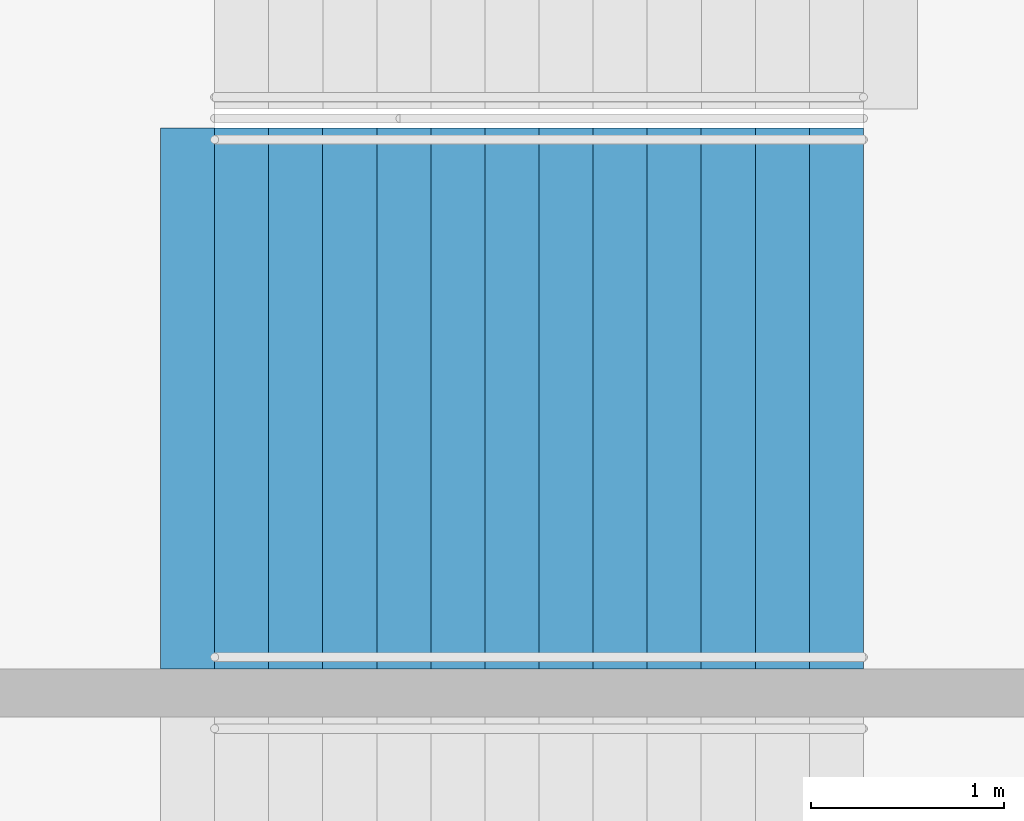
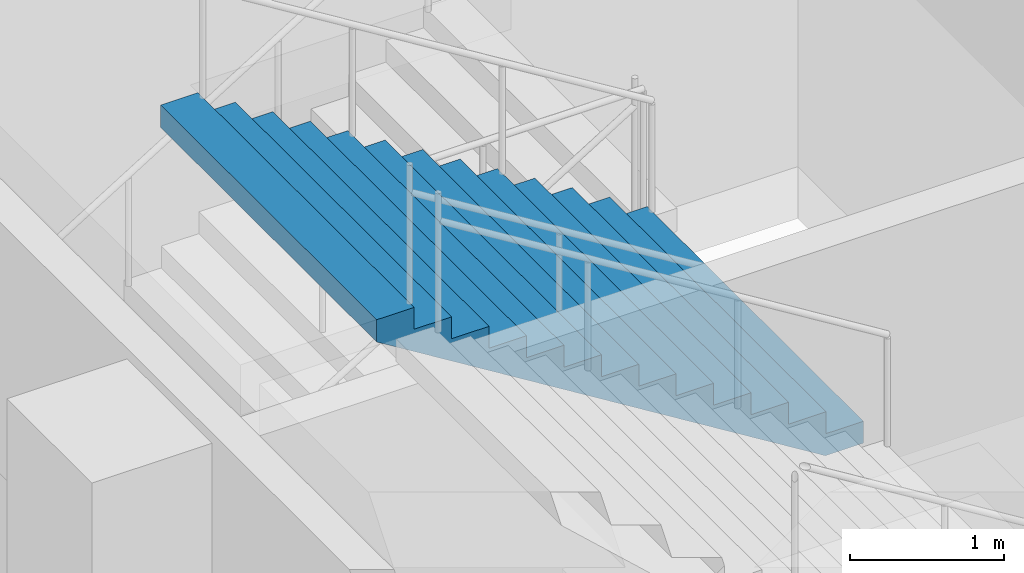
# One storey, part 151 of 199: 1 stair flight, 1 element without a shape of its own.
"""IFC4 building model written with IfcOpenShell, lengths in metres."""

from ifc_helpers import new_model, si_unit, direction, frame, origin, place, context, subcontext, project, spatial, faceted_brep, material, type_object, element, aggregate, save


model = new_model("IFC4")

# Units and contexts
model_context = context("Model", 3, precision=1e-05, world=origin(), true_north=direction((0.0, 1.0)))
body_context = subcontext(model_context, "Body", "Model", "MODEL_VIEW")
ifc_project = project(units=[si_unit("LENGTHUNIT", "METRE"), si_unit("AREAUNIT", "SQUARE_METRE"), si_unit("VOLUMEUNIT", "CUBIC_METRE"), si_unit("PLANEANGLEUNIT", "RADIAN"), si_unit("MASSUNIT", "GRAM", prefix="KILO")], contexts=[model_context])

# Site, building, storey
site_placement = place(None, origin())
site = spatial("IfcSite", under=ifc_project, at=site_placement, CompositionType="ELEMENT")
building_placement = place(site_placement, origin())
building = spatial("IfcBuilding", under=site, at=building_placement, Name="Ogive Plaza Stadium", CompositionType="ELEMENT")
storey_placement = place(building_placement, frame((0.0, 0.0, 4.5)))
storey = spatial("IfcBuildingStorey", under=building, at=storey_placement, Name="L01", CompositionType="ELEMENT", Elevation=4.5)

# Stair, stair flight
ifc_material_1 = material(Name="Concrete C40/50", Category="concrete")
stair_type = type_object("IfcStairType", Name="Exit stair", PredefinedType="STRAIGHT_RUN_STAIR", material=ifc_material_1)
stair_placement = place(storey_placement, origin())
stair = element("IfcStair", 1, at=stair_placement, inside=storey, type_object=stair_type, Name="Exit stair ST04B L01 to L02", PredefinedType="STRAIGHT_RUN_STAIR")
ifc_material_2 = material(Name="Concrete C40/50", Category="concrete")
stair_flight_type = type_object("IfcStairFlightType", Name="Exit stair flight", PredefinedType="STRAIGHT", material=ifc_material_2)
stair_flight_placement = place(storey_placement, frame((79.7099609375, 9.02490234375, 2.25), z_axis=(0.0, 0.0, 1.0), x_axis=(-1.0, 0.0, 0.0)))
stair_flight = element("IfcStairFlight", 2, at=stair_flight_placement, type_object=stair_flight_type, Name="ST04B flight 2", NumberOfRisers=13, NumberOfTreads=12, PredefinedType="STRAIGHT", RiserHeight=0.173076923, TreadLength=0.28, context=body_context, shape_type="Brep", body=[
    faceted_brep([(0.28515625, -1.39990234375, 0.0), (3.639892578125, -1.39990234375, 2.07373046875), (3.639892578125, -1.39990234375, 2.25), (3.360107421875, -1.39990234375, 2.25), (3.360107421875, -1.39990234375, 2.076904296875), (3.080078125, -1.39990234375, 2.076904296875), (3.080078125, -1.39990234375, 1.90380859375), (2.800048828125, -1.39990234375, 1.90380859375), (2.800048828125, -1.39990234375, 1.730712890625), (2.52001953125, -1.39990234375, 1.730712890625), (2.52001953125, -1.39990234375, 1.5576171875), (2.239990234375, -1.39990234375, 1.5576171875), (2.239990234375, -1.39990234375, 1.384521484375), (1.9599609375, -1.39990234375, 1.384521484375), (1.9599609375, -1.39990234375, 1.21142578125), (1.679931640625, -1.39990234375, 1.21142578125), (1.679931640625, -1.39990234375, 1.03857421875), (1.39990234375, -1.39990234375, 1.03857421875), (1.39990234375, -1.39990234375, 0.865478515625), (1.1201171875, -1.39990234375, 0.865478515625), (1.1201171875, -1.39990234375, 0.6923828125), (0.840087890625, -1.39990234375, 0.6923828125), (0.840087890625, -1.39990234375, 0.519287109375), (0.56005859375, -1.39990234375, 0.519287109375), (0.56005859375, -1.39990234375, 0.34619140625), (0.280029296875, -1.39990234375, 0.34619140625), (0.280029296875, -1.39990234375, 0.173095703125), (0.0, -1.39990234375, 0.173095703125), (0.0, -1.39990234375, 0.0), (0.0, 1.39990234375, 0.0), (0.0, 1.39990234375, 0.173095703125), (0.280029296875, 1.39990234375, 0.173095703125), (0.280029296875, 1.39990234375, 0.34619140625), (0.56005859375, 1.39990234375, 0.34619140625), (0.56005859375, 1.39990234375, 0.519287109375), (0.840087890625, 1.39990234375, 0.519287109375), (0.840087890625, 1.39990234375, 0.6923828125), (1.1201171875, 1.39990234375, 0.6923828125), (1.1201171875, 1.39990234375, 0.865478515625), (1.39990234375, 1.39990234375, 0.865478515625), (1.39990234375, 1.39990234375, 1.03857421875), (1.679931640625, 1.39990234375, 1.03857421875), (1.679931640625, 1.39990234375, 1.21142578125), (1.9599609375, 1.39990234375, 1.21142578125), (1.9599609375, 1.39990234375, 1.384521484375), (2.239990234375, 1.39990234375, 1.384521484375), (2.239990234375, 1.39990234375, 1.5576171875), (2.52001953125, 1.39990234375, 1.5576171875), (2.52001953125, 1.39990234375, 1.730712890625), (2.800048828125, 1.39990234375, 1.730712890625), (2.800048828125, 1.39990234375, 1.90380859375), (3.080078125, 1.39990234375, 1.90380859375), (3.080078125, 1.39990234375, 2.076904296875), (3.360107421875, 1.39990234375, 2.076904296875), (3.360107421875, 1.39990234375, 2.25), (3.639892578125, 1.39990234375, 2.25), (3.639892578125, 1.39990234375, 2.07373046875), (0.28515625, 1.39990234375, 0.0), (0.28515625, -1.0888671875, 0.0), (3.639892578125, -1.0888671875, 2.07373046875), (0.28515625, -0.77783203125, 0.0), (3.639892578125, -0.77783203125, 2.07373046875), (0.28515625, -0.466796875, 0.0), (3.639892578125, -0.466796875, 2.07373046875), (0.28515625, -0.155517578125, 0.0), (3.639892578125, -0.155517578125, 2.07373046875), (0.28515625, 0.155517578125, 0.0), (3.639892578125, 0.155517578125, 2.07373046875), (0.28515625, 0.466796875, 0.0), (3.639892578125, 0.466796875, 2.07373046875), (0.28515625, 0.77783203125, 0.0), (3.639892578125, 0.77783203125, 2.07373046875), (0.28515625, 1.0888671875, 0.0), (3.639892578125, 1.0888671875, 2.07373046875), (3.639892578125, -1.0888671875, 2.25), (3.639892578125, -0.77783203125, 2.25), (3.639892578125, -0.466796875, 2.25), (3.639892578125, -0.155517578125, 2.25), (3.639892578125, 0.155517578125, 2.25), (3.639892578125, 0.466796875, 2.25), (3.639892578125, 0.77783203125, 2.25), (3.639892578125, 1.0888671875, 2.25), (3.360107421875, -1.0888671875, 2.25), (3.360107421875, -0.77783203125, 2.25), (3.360107421875, -0.466796875, 2.25), (3.360107421875, -0.155517578125, 2.25), (3.360107421875, 0.155517578125, 2.25), (3.360107421875, 0.466796875, 2.25), (3.360107421875, 0.77783203125, 2.25), (3.360107421875, 1.0888671875, 2.25), (3.360107421875, -1.0888671875, 2.076904296875), (3.360107421875, -0.77783203125, 2.076904296875), (3.360107421875, -0.466796875, 2.076904296875), (3.360107421875, -0.155517578125, 2.076904296875), (3.360107421875, 0.155517578125, 2.076904296875), (3.360107421875, 0.466796875, 2.076904296875), (3.360107421875, 0.77783203125, 2.076904296875), (3.360107421875, 1.0888671875, 2.076904296875), (3.080078125, -1.0888671875, 2.076904296875), (3.080078125, -0.77783203125, 2.076904296875), (3.080078125, -0.466796875, 2.076904296875), (3.080078125, -0.155517578125, 2.076904296875), (3.080078125, 0.155517578125, 2.076904296875), (3.080078125, 0.466796875, 2.076904296875), (3.080078125, 0.77783203125, 2.076904296875), (3.080078125, 1.0888671875, 2.076904296875), (3.080078125, -1.0888671875, 1.90380859375), (3.080078125, -0.77783203125, 1.90380859375), (3.080078125, -0.466796875, 1.90380859375), (3.080078125, -0.155517578125, 1.90380859375), (3.080078125, 0.155517578125, 1.90380859375), (3.080078125, 0.466796875, 1.90380859375), (3.080078125, 0.77783203125, 1.90380859375), (3.080078125, 1.0888671875, 1.90380859375), (2.800048828125, -1.0888671875, 1.90380859375), (2.800048828125, -0.77783203125, 1.90380859375), (2.800048828125, -0.466796875, 1.90380859375), (2.800048828125, -0.155517578125, 1.90380859375), (2.800048828125, 0.155517578125, 1.90380859375), (2.800048828125, 0.466796875, 1.90380859375), (2.800048828125, 0.77783203125, 1.90380859375), (2.800048828125, 1.0888671875, 1.90380859375), (2.800048828125, -1.0888671875, 1.730712890625), (2.800048828125, -0.77783203125, 1.730712890625), (2.800048828125, -0.466796875, 1.730712890625), (2.800048828125, -0.155517578125, 1.730712890625), (2.800048828125, 0.155517578125, 1.730712890625), (2.800048828125, 0.466796875, 1.730712890625), (2.800048828125, 0.77783203125, 1.730712890625), (2.800048828125, 1.0888671875, 1.730712890625), (2.52001953125, -1.0888671875, 1.730712890625), (2.52001953125, -0.77783203125, 1.730712890625), (2.52001953125, -0.466796875, 1.730712890625), (2.52001953125, -0.155517578125, 1.730712890625), (2.52001953125, 0.155517578125, 1.730712890625), (2.52001953125, 0.466796875, 1.730712890625), (2.52001953125, 0.77783203125, 1.730712890625), (2.52001953125, 1.0888671875, 1.730712890625), (2.52001953125, -1.0888671875, 1.5576171875), (2.52001953125, -0.77783203125, 1.5576171875), (2.52001953125, -0.466796875, 1.5576171875), (2.52001953125, -0.155517578125, 1.5576171875), (2.52001953125, 0.155517578125, 1.5576171875), (2.52001953125, 0.466796875, 1.5576171875), (2.52001953125, 0.77783203125, 1.5576171875), (2.52001953125, 1.0888671875, 1.5576171875), (2.239990234375, -1.0888671875, 1.5576171875), (2.239990234375, -0.77783203125, 1.5576171875), (2.239990234375, -0.466796875, 1.5576171875), (2.239990234375, -0.155517578125, 1.5576171875), (2.239990234375, 0.155517578125, 1.5576171875), (2.239990234375, 0.466796875, 1.5576171875), (2.239990234375, 0.77783203125, 1.5576171875), (2.239990234375, 1.0888671875, 1.5576171875), (2.239990234375, -1.0888671875, 1.384521484375), (2.239990234375, -0.77783203125, 1.384521484375), (2.239990234375, -0.466796875, 1.384521484375), (2.239990234375, -0.155517578125, 1.384521484375), (2.239990234375, 0.155517578125, 1.384521484375), (2.239990234375, 0.466796875, 1.384521484375), (2.239990234375, 0.77783203125, 1.384521484375), (2.239990234375, 1.0888671875, 1.384521484375), (1.9599609375, -1.0888671875, 1.384521484375), (1.9599609375, -0.77783203125, 1.384521484375), (1.9599609375, -0.466796875, 1.384521484375), (1.9599609375, -0.155517578125, 1.384521484375), (1.9599609375, 0.155517578125, 1.384521484375), (1.9599609375, 0.466796875, 1.384521484375), (1.9599609375, 0.77783203125, 1.384521484375), (1.9599609375, 1.0888671875, 1.384521484375), (1.9599609375, -1.0888671875, 1.21142578125), (1.9599609375, -0.77783203125, 1.21142578125), (1.9599609375, -0.466796875, 1.21142578125), (1.9599609375, -0.155517578125, 1.21142578125), (1.9599609375, 0.155517578125, 1.21142578125), (1.9599609375, 0.466796875, 1.21142578125), (1.9599609375, 0.77783203125, 1.21142578125), (1.9599609375, 1.0888671875, 1.21142578125), (1.679931640625, -1.0888671875, 1.21142578125), (1.679931640625, -0.77783203125, 1.21142578125), (1.679931640625, -0.466796875, 1.21142578125), (1.679931640625, -0.155517578125, 1.21142578125), (1.679931640625, 0.155517578125, 1.21142578125), (1.679931640625, 0.466796875, 1.21142578125), (1.679931640625, 0.77783203125, 1.21142578125), (1.679931640625, 1.0888671875, 1.21142578125), (1.679931640625, -1.0888671875, 1.03857421875), (1.679931640625, -0.77783203125, 1.03857421875), (1.679931640625, -0.466796875, 1.03857421875), (1.679931640625, -0.155517578125, 1.03857421875), (1.679931640625, 0.155517578125, 1.03857421875), (1.679931640625, 0.466796875, 1.03857421875), (1.679931640625, 0.77783203125, 1.03857421875), (1.679931640625, 1.0888671875, 1.03857421875), (1.39990234375, -1.0888671875, 1.03857421875), (1.39990234375, -0.77783203125, 1.03857421875), (1.39990234375, -0.466796875, 1.03857421875), (1.39990234375, -0.155517578125, 1.03857421875), (1.39990234375, 0.155517578125, 1.03857421875), (1.39990234375, 0.466796875, 1.03857421875), (1.39990234375, 0.77783203125, 1.03857421875), (1.39990234375, 1.0888671875, 1.03857421875), (1.39990234375, -1.0888671875, 0.865478515625), (1.39990234375, -0.77783203125, 0.865478515625), (1.39990234375, -0.466796875, 0.865478515625), (1.39990234375, -0.155517578125, 0.865478515625), (1.39990234375, 0.155517578125, 0.865478515625), (1.39990234375, 0.466796875, 0.865478515625), (1.39990234375, 0.77783203125, 0.865478515625), (1.39990234375, 1.0888671875, 0.865478515625), (1.1201171875, -1.0888671875, 0.865478515625), (1.1201171875, -0.77783203125, 0.865478515625), (1.1201171875, -0.466796875, 0.865478515625), (1.1201171875, -0.155517578125, 0.865478515625), (1.1201171875, 0.155517578125, 0.865478515625), (1.1201171875, 0.466796875, 0.865478515625), (1.1201171875, 0.77783203125, 0.865478515625), (1.1201171875, 1.0888671875, 0.865478515625), (1.1201171875, -1.0888671875, 0.6923828125), (1.1201171875, -0.77783203125, 0.6923828125), (1.1201171875, -0.466796875, 0.6923828125), (1.1201171875, -0.155517578125, 0.6923828125), (1.1201171875, 0.155517578125, 0.6923828125), (1.1201171875, 0.466796875, 0.6923828125), (1.1201171875, 0.77783203125, 0.6923828125), (1.1201171875, 1.0888671875, 0.6923828125), (0.840087890625, -1.0888671875, 0.6923828125), (0.840087890625, -0.77783203125, 0.6923828125), (0.840087890625, -0.466796875, 0.6923828125), (0.840087890625, -0.155517578125, 0.6923828125), (0.840087890625, 0.155517578125, 0.6923828125), (0.840087890625, 0.466796875, 0.6923828125), (0.840087890625, 0.77783203125, 0.6923828125), (0.840087890625, 1.0888671875, 0.6923828125), (0.840087890625, -1.0888671875, 0.519287109375), (0.840087890625, -0.77783203125, 0.519287109375), (0.840087890625, -0.466796875, 0.519287109375), (0.840087890625, -0.155517578125, 0.519287109375), (0.840087890625, 0.155517578125, 0.519287109375), (0.840087890625, 0.466796875, 0.519287109375), (0.840087890625, 0.77783203125, 0.519287109375), (0.840087890625, 1.0888671875, 0.519287109375), (0.56005859375, -1.0888671875, 0.519287109375), (0.56005859375, -0.77783203125, 0.519287109375), (0.56005859375, -0.466796875, 0.519287109375), (0.56005859375, -0.155517578125, 0.519287109375), (0.56005859375, 0.155517578125, 0.519287109375), (0.56005859375, 0.466796875, 0.519287109375), (0.56005859375, 0.77783203125, 0.519287109375), (0.56005859375, 1.0888671875, 0.519287109375), (0.56005859375, -1.0888671875, 0.34619140625), (0.56005859375, -0.77783203125, 0.34619140625), (0.56005859375, -0.466796875, 0.34619140625), (0.56005859375, -0.155517578125, 0.34619140625), (0.56005859375, 0.155517578125, 0.34619140625), (0.56005859375, 0.466796875, 0.34619140625), (0.56005859375, 0.77783203125, 0.34619140625), (0.56005859375, 1.0888671875, 0.34619140625), (0.280029296875, -1.0888671875, 0.34619140625), (0.280029296875, -0.77783203125, 0.34619140625), (0.280029296875, -0.466796875, 0.34619140625), (0.280029296875, -0.155517578125, 0.34619140625), (0.280029296875, 0.155517578125, 0.34619140625), (0.280029296875, 0.466796875, 0.34619140625), (0.280029296875, 0.77783203125, 0.34619140625), (0.280029296875, 1.0888671875, 0.34619140625), (0.280029296875, -1.0888671875, 0.173095703125), (0.280029296875, -0.77783203125, 0.173095703125), (0.280029296875, -0.466796875, 0.173095703125), (0.280029296875, -0.155517578125, 0.173095703125), (0.280029296875, 0.155517578125, 0.173095703125), (0.280029296875, 0.466796875, 0.173095703125), (0.280029296875, 0.77783203125, 0.173095703125), (0.280029296875, 1.0888671875, 0.173095703125), (0.0, -1.0888671875, 0.173095703125), (0.0, -0.77783203125, 0.173095703125), (0.0, -0.466796875, 0.173095703125), (0.0, -0.155517578125, 0.173095703125), (0.0, 0.155517578125, 0.173095703125), (0.0, 0.466796875, 0.173095703125), (0.0, 0.77783203125, 0.173095703125), (0.0, 1.0888671875, 0.173095703125), (0.0, -1.0888671875, 0.0), (0.0, -0.77783203125, 0.0), (0.0, -0.466796875, 0.0), (0.0, -0.155517578125, 0.0), (0.0, 0.155517578125, 0.0), (0.0, 0.466796875, 0.0), (0.0, 0.77783203125, 0.0), (0.0, 1.0888671875, 0.0)], [[[0, 1, 2, 3, 4, 5, 6, 7, 8, 9, 10, 11, 12, 13, 14, 15, 16, 17, 18, 19, 20, 21, 22, 23, 24, 25, 26, 27, 28]], [[29, 30, 31, 32, 33, 34, 35, 36, 37, 38, 39, 40, 41, 42, 43, 44, 45, 46, 47, 48, 49, 50, 51, 52, 53, 54, 55, 56, 57]], [[0, 58, 59, 1]], [[58, 60, 61, 59]], [[60, 62, 63, 61]], [[62, 64, 65, 63]], [[64, 66, 67, 65]], [[66, 68, 69, 67]], [[68, 70, 71, 69]], [[70, 72, 73, 71]], [[72, 57, 56, 73]], [[1, 59, 74, 2]], [[59, 61, 75, 74]], [[61, 63, 76, 75]], [[63, 65, 77, 76]], [[65, 67, 78, 77]], [[67, 69, 79, 78]], [[69, 71, 80, 79]], [[71, 73, 81, 80]], [[73, 56, 55, 81]], [[2, 74, 82, 3]], [[74, 75, 83, 82]], [[75, 76, 84, 83]], [[76, 77, 85, 84]], [[77, 78, 86, 85]], [[78, 79, 87, 86]], [[79, 80, 88, 87]], [[80, 81, 89, 88]], [[81, 55, 54, 89]], [[3, 82, 90, 4]], [[82, 83, 91, 90]], [[83, 84, 92, 91]], [[84, 85, 93, 92]], [[85, 86, 94, 93]], [[86, 87, 95, 94]], [[87, 88, 96, 95]], [[88, 89, 97, 96]], [[89, 54, 53, 97]], [[4, 90, 98, 5]], [[90, 91, 99, 98]], [[91, 92, 100, 99]], [[92, 93, 101, 100]], [[93, 94, 102, 101]], [[94, 95, 103, 102]], [[95, 96, 104, 103]], [[96, 97, 105, 104]], [[97, 53, 52, 105]], [[5, 98, 106, 6]], [[98, 99, 107, 106]], [[99, 100, 108, 107]], [[100, 101, 109, 108]], [[101, 102, 110, 109]], [[102, 103, 111, 110]], [[103, 104, 112, 111]], [[104, 105, 113, 112]], [[105, 52, 51, 113]], [[6, 106, 114, 7]], [[106, 107, 115, 114]], [[107, 108, 116, 115]], [[108, 109, 117, 116]], [[109, 110, 118, 117]], [[110, 111, 119, 118]], [[111, 112, 120, 119]], [[112, 113, 121, 120]], [[113, 51, 50, 121]], [[7, 114, 122, 8]], [[114, 115, 123, 122]], [[115, 116, 124, 123]], [[116, 117, 125, 124]], [[117, 118, 126, 125]], [[118, 119, 127, 126]], [[119, 120, 128, 127]], [[120, 121, 129, 128]], [[121, 50, 49, 129]], [[8, 122, 130, 9]], [[122, 123, 131, 130]], [[123, 124, 132, 131]], [[124, 125, 133, 132]], [[125, 126, 134, 133]], [[126, 127, 135, 134]], [[127, 128, 136, 135]], [[128, 129, 137, 136]], [[129, 49, 48, 137]], [[9, 130, 138, 10]], [[130, 131, 139, 138]], [[131, 132, 140, 139]], [[132, 133, 141, 140]], [[133, 134, 142, 141]], [[134, 135, 143, 142]], [[135, 136, 144, 143]], [[136, 137, 145, 144]], [[137, 48, 47, 145]], [[10, 138, 146, 11]], [[138, 139, 147, 146]], [[139, 140, 148, 147]], [[140, 141, 149, 148]], [[141, 142, 150, 149]], [[142, 143, 151, 150]], [[143, 144, 152, 151]], [[144, 145, 153, 152]], [[145, 47, 46, 153]], [[11, 146, 154, 12]], [[146, 147, 155, 154]], [[147, 148, 156, 155]], [[148, 149, 157, 156]], [[149, 150, 158, 157]], [[150, 151, 159, 158]], [[151, 152, 160, 159]], [[152, 153, 161, 160]], [[153, 46, 45, 161]], [[12, 154, 162, 13]], [[154, 155, 163, 162]], [[155, 156, 164, 163]], [[156, 157, 165, 164]], [[157, 158, 166, 165]], [[158, 159, 167, 166]], [[159, 160, 168, 167]], [[160, 161, 169, 168]], [[161, 45, 44, 169]], [[13, 162, 170, 14]], [[162, 163, 171, 170]], [[163, 164, 172, 171]], [[164, 165, 173, 172]], [[165, 166, 174, 173]], [[166, 167, 175, 174]], [[167, 168, 176, 175]], [[168, 169, 177, 176]], [[169, 44, 43, 177]], [[14, 170, 178, 15]], [[170, 171, 179, 178]], [[171, 172, 180, 179]], [[172, 173, 181, 180]], [[173, 174, 182, 181]], [[174, 175, 183, 182]], [[175, 176, 184, 183]], [[176, 177, 185, 184]], [[177, 43, 42, 185]], [[15, 178, 186, 16]], [[178, 179, 187, 186]], [[179, 180, 188, 187]], [[180, 181, 189, 188]], [[181, 182, 190, 189]], [[182, 183, 191, 190]], [[183, 184, 192, 191]], [[184, 185, 193, 192]], [[185, 42, 41, 193]], [[16, 186, 194, 17]], [[186, 187, 195, 194]], [[187, 188, 196, 195]], [[188, 189, 197, 196]], [[189, 190, 198, 197]], [[190, 191, 199, 198]], [[191, 192, 200, 199]], [[192, 193, 201, 200]], [[193, 41, 40, 201]], [[17, 194, 202, 18]], [[194, 195, 203, 202]], [[195, 196, 204, 203]], [[196, 197, 205, 204]], [[197, 198, 206, 205]], [[198, 199, 207, 206]], [[199, 200, 208, 207]], [[200, 201, 209, 208]], [[201, 40, 39, 209]], [[18, 202, 210, 19]], [[202, 203, 211, 210]], [[203, 204, 212, 211]], [[204, 205, 213, 212]], [[205, 206, 214, 213]], [[206, 207, 215, 214]], [[207, 208, 216, 215]], [[208, 209, 217, 216]], [[209, 39, 38, 217]], [[19, 210, 218, 20]], [[210, 211, 219, 218]], [[211, 212, 220, 219]], [[212, 213, 221, 220]], [[213, 214, 222, 221]], [[214, 215, 223, 222]], [[215, 216, 224, 223]], [[216, 217, 225, 224]], [[217, 38, 37, 225]], [[20, 218, 226, 21]], [[218, 219, 227, 226]], [[219, 220, 228, 227]], [[220, 221, 229, 228]], [[221, 222, 230, 229]], [[222, 223, 231, 230]], [[223, 224, 232, 231]], [[224, 225, 233, 232]], [[225, 37, 36, 233]], [[21, 226, 234, 22]], [[226, 227, 235, 234]], [[227, 228, 236, 235]], [[228, 229, 237, 236]], [[229, 230, 238, 237]], [[230, 231, 239, 238]], [[231, 232, 240, 239]], [[232, 233, 241, 240]], [[233, 36, 35, 241]], [[22, 234, 242, 23]], [[234, 235, 243, 242]], [[235, 236, 244, 243]], [[236, 237, 245, 244]], [[237, 238, 246, 245]], [[238, 239, 247, 246]], [[239, 240, 248, 247]], [[240, 241, 249, 248]], [[241, 35, 34, 249]], [[23, 242, 250, 24]], [[242, 243, 251, 250]], [[243, 244, 252, 251]], [[244, 245, 253, 252]], [[245, 246, 254, 253]], [[246, 247, 255, 254]], [[247, 248, 256, 255]], [[248, 249, 257, 256]], [[249, 34, 33, 257]], [[24, 250, 258, 25]], [[250, 251, 259, 258]], [[251, 252, 260, 259]], [[252, 253, 261, 260]], [[253, 254, 262, 261]], [[254, 255, 263, 262]], [[255, 256, 264, 263]], [[256, 257, 265, 264]], [[257, 33, 32, 265]], [[25, 258, 266, 26]], [[258, 259, 267, 266]], [[259, 260, 268, 267]], [[260, 261, 269, 268]], [[261, 262, 270, 269]], [[262, 263, 271, 270]], [[263, 264, 272, 271]], [[264, 265, 273, 272]], [[265, 32, 31, 273]], [[26, 266, 274, 27]], [[266, 267, 275, 274]], [[267, 268, 276, 275]], [[268, 269, 277, 276]], [[269, 270, 278, 277]], [[270, 271, 279, 278]], [[271, 272, 280, 279]], [[272, 273, 281, 280]], [[273, 31, 30, 281]], [[27, 274, 282, 28]], [[274, 275, 283, 282]], [[275, 276, 284, 283]], [[276, 277, 285, 284]], [[277, 278, 286, 285]], [[278, 279, 287, 286]], [[279, 280, 288, 287]], [[280, 281, 289, 288]], [[281, 30, 29, 289]], [[28, 282, 58, 0]], [[282, 283, 60, 58]], [[283, 284, 62, 60]], [[284, 285, 64, 62]], [[285, 286, 66, 64]], [[286, 287, 68, 66]], [[287, 288, 70, 68]], [[288, 289, 72, 70]], [[289, 29, 57, 72]]]),
])
aggregate(stair, [stair_flight])

save(model, "model.ifc")
